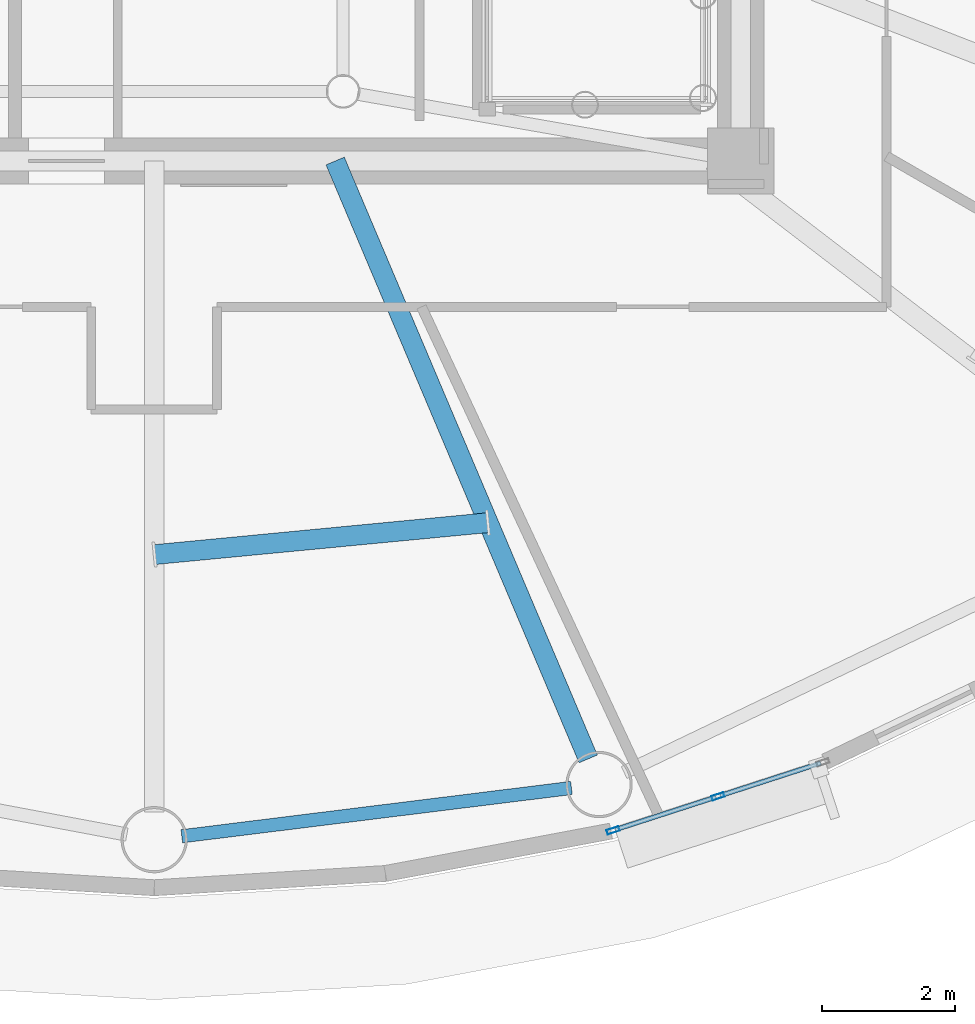
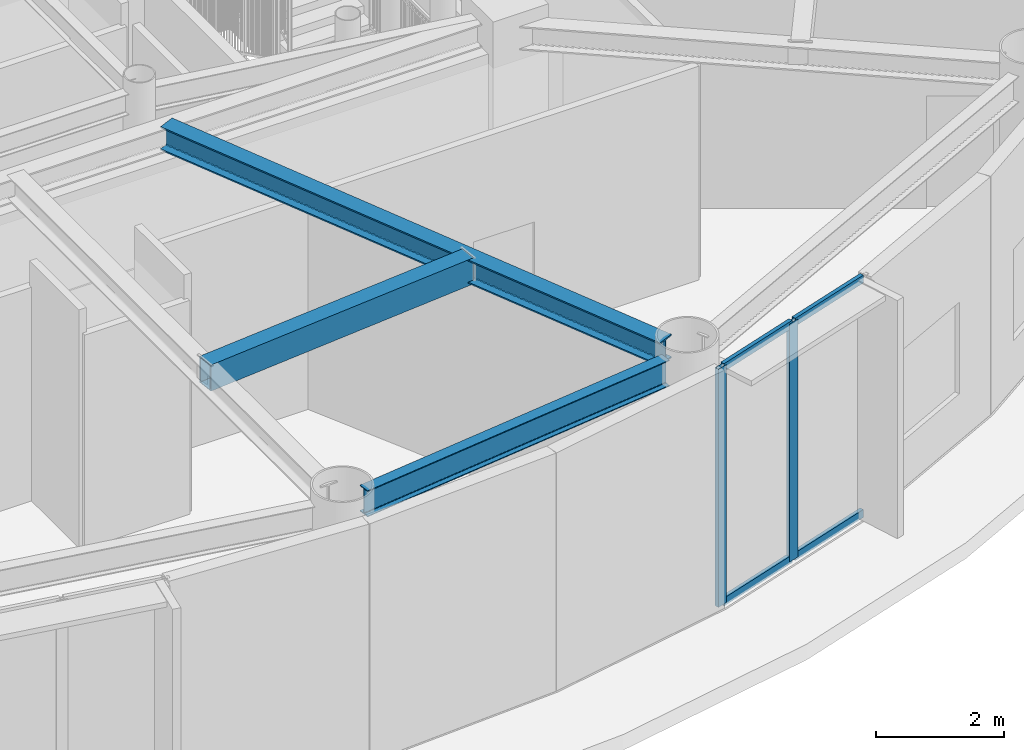
# One storey, part 8 of 32: 6 members, 3 beams, 1 element without a shape of its own.
"""IFC4 building model written with IfcOpenShell, lengths in metres."""

from ifc_helpers import new_model, si_unit, direction, frame, origin, origin_2d, place, context, subcontext, project, spatial, hollow_rectangle, i_section, extrude, source, transform, mapped, material, layer, layer_set, material_profile, profile_set, type_object, element, aggregate, save


model = new_model("IFC4")

# Units and contexts
model_context = context("Model", 3, precision=1e-05, world=origin(), true_north=direction((0.0, 1.0)))
body_context = subcontext(model_context, "Body", "Model", "MODEL_VIEW")
ifc_project = project(units=[si_unit("LENGTHUNIT", "METRE"), si_unit("AREAUNIT", "SQUARE_METRE"), si_unit("VOLUMEUNIT", "CUBIC_METRE"), si_unit("PLANEANGLEUNIT", "RADIAN"), si_unit("MASSUNIT", "GRAM", prefix="KILO")], contexts=[model_context])

# Site, building, storey
site_placement = place(None, origin())
site = spatial("IfcSite", under=ifc_project, at=site_placement, CompositionType="ELEMENT")
building_placement = place(site_placement, origin())
building = spatial("IfcBuilding", under=site, at=building_placement, Name="Linh Dai School and Residence Tower", CompositionType="ELEMENT")
storey_placement = place(building_placement, frame((0.0, 0.0, 268.199951171875)))
storey = spatial("IfcBuildingStorey", under=building, at=storey_placement, Name="L66", CompositionType="ELEMENT", Elevation=268.199951171875)

# Beams
ifc_material_1 = material(Name="Structural Steel S355JR", Category="steel")
ifc_material_profile_1 = material_profile(ifc_material_1, hollow_rectangle(XDim=0.300048828125, YDim=0.5, WallThickness=0.01611328125, at=origin_2d()), Name="RHS 500x300x16")
ifc_profile_set_1 = profile_set([ifc_material_profile_1], Name="Structural Steel S355JR")
beam_type_1 = type_object("IfcBeamType", Name="BM-BX5", PredefinedType="BEAM", material=ifc_profile_set_1)
beam_1_placement = place(storey_placement, frame((36.0048828125, 14.611328125, 4.300048828125), z_axis=(0.99544604529, 0.095326653757, 0.0), x_axis=(-0.095326653757, 0.99544604529, 0.0)))
element("IfcBeam", 1, at=beam_1_placement, inside=storey, type_object=beam_type_1, Name="L66 Secondary Circumferential Floor Beam 07", PredefinedType="BEAM", context=body_context, shape_type="SweptSolid", body=[
    extrude(hollow_rectangle(XDim=0.300048828125, YDim=0.5, WallThickness=0.01611328125, at=origin_2d()), origin(), (0.0, 0.0, 1.0), 5.052978515625),
])
ifc_material_profile_2 = material_profile(ifc_material_1, i_section(OverallWidth=0.199951171875, OverallDepth=0.5, WebThickness=0.01025390625, FlangeThickness=0.01611328125, FilletRadius=0.02099609375, at=origin_2d()), Name="IPE 500")
ifc_profile_set_2 = profile_set([ifc_material_profile_2], Name="Structural Steel S355JR")
beam_type_2 = type_object("IfcBeamType", Name="BM-RB50", PredefinedType="BEAM", material=ifc_profile_set_2)
beam_2_placement = place(storey_placement, frame((36.416748046875, 10.361572265625, 4.300048828125), z_axis=(0.992399134443, 0.123060789678, 0.0), x_axis=(-0.123060789678, 0.992399134443, 0.0)))
element("IfcBeam", 2, at=beam_2_placement, inside=storey, type_object=beam_type_2, Name="L66 Perimeter Elliptical Ring Beam 13", PredefinedType="BEAM", context=body_context, shape_type="SweptSolid", body=[
    extrude(i_section(OverallWidth=0.199951171875, OverallDepth=0.5, WebThickness=0.01025390625, FlangeThickness=0.01611328125, FilletRadius=0.02099609375, at=origin_2d()), origin(), (0.0, 0.0, 1.0), 5.923828125),
])
ifc_material_profile_3 = material_profile(ifc_material_1, i_section(OverallWidth=0.300048828125, OverallDepth=0.449951171875, WebThickness=0.013916015625, FlangeThickness=0.02587890625, FilletRadius=0.027099609375, at=origin_2d()), Name="HEB 450")
ifc_profile_set_3 = profile_set([ifc_material_profile_3], Name="Structural Steel S355JR")
beam_type_3 = type_object("IfcBeamType", Name="BM-RG45", PredefinedType="BEAM", material=ifc_profile_set_3)
beam_3_placement = place(storey_placement, frame((38.730224609375, 20.550048828125, 4.324951171875), z_axis=(0.389794463678, -0.920901881899, 0.0), x_axis=(0.920901881899, 0.389794463678, 0.0)))
element("IfcBeam", 3, at=beam_3_placement, inside=storey, type_object=beam_type_3, Name="L66 Primary Radial Floor Girder 14", PredefinedType="BEAM", context=body_context, shape_type="SweptSolid", body=[
    extrude(i_section(OverallWidth=0.300048828125, OverallDepth=0.449951171875, WebThickness=0.013916015625, FlangeThickness=0.02587890625, FilletRadius=0.027099609375, at=origin_2d()), origin(), (0.0, 0.0, 1.0), 9.7958984375),
])

# Curtain wall, members
ifc_material_2 = material(Name="Aluminium Anodised Curtain Wall", Category="aluminium")
ifc_layer = layer(ifc_material_2, 0.18994140625)
ifc_layer_set = layer_set([ifc_layer], Name="Aluminium Anodised Curtain Wall")
curtain_wall_type = type_object("IfcCurtainWallType", Name="CW-SYS-5", PredefinedType="USERDEFINED", material=ifc_layer_set)
curtain_wall_placement = place(storey_placement, origin())
curtain_wall = element("IfcCurtainWall", 4, at=curtain_wall_placement, inside=storey, type_object=curtain_wall_type, Name="L66 CW5 Curtain Wall 33", ObjectType="UNITISED CURTAIN WALL", PredefinedType="USERDEFINED")
ifc_material_3 = material(Name="Aluminium Alloy 6063-T6", Category="aluminium")
ifc_material_profile_4 = material_profile(ifc_material_3, hollow_rectangle(XDim=0.070068359375, YDim=0.18994140625, WallThickness=0.00390625, at=origin_2d()), Name="RHS 190x70x4")
ifc_profile_set_4 = profile_set([ifc_material_profile_4], Name="Aluminium Alloy 6063-T6")
member_type_1 = type_object("IfcMemberType", Name="CW-SYS-5-MUL", PredefinedType="MULLION", material=ifc_profile_set_4)
shared_shape_1 = source(origin(), body_context, "Body", "SweptSolid", [
    extrude(hollow_rectangle(XDim=0.070068359375, YDim=0.18994140625, WallThickness=0.00390625, at=origin_2d()), origin(), (0.0, 0.0, 1.0), 4.550048828125),
])
member_1_placement = place(storey_placement, frame((44.507080078125, 10.963623046875, 0.0), z_axis=(0.0, 0.0, 1.0), x_axis=(0.308518805176, -0.951218243545, 0.0)))
member_1 = element("IfcMember", 5, at=member_1_placement, type_object=member_type_1, Name="CW5 mullion 2", PredefinedType="MULLION", context=body_context, shape_type="MappedRepresentation", body=[
    mapped(shared_shape_1, transform((0.0, 0.0, 0.0), x_axis=(1.0, 0.0, 0.0), y_axis=(0.0, 1.0, 0.0), z_axis=(0.0, 0.0, 1.0), scale=1.0)),
])
member_2_placement = place(storey_placement, frame((42.924560546875, 10.450439453125, 0.0), z_axis=(0.0, 0.0, 1.0), x_axis=(0.308518805176, -0.951218243545, 0.0)))
member_2 = element("IfcMember", 6, at=member_2_placement, type_object=member_type_1, Name="CW5 mullion 3", PredefinedType="MULLION", context=body_context, shape_type="MappedRepresentation", body=[
    mapped(shared_shape_1, transform((0.0, 0.0, 0.0), x_axis=(1.0, 0.0, 0.0), y_axis=(0.0, 1.0, 0.0), z_axis=(0.0, 0.0, 1.0), scale=1.0)),
])
ifc_material_profile_5 = material_profile(ifc_material_3, hollow_rectangle(XDim=0.070068359375, YDim=0.14990234375, WallThickness=0.00390625, at=origin_2d()), Name="RHS 150x70x4")
ifc_profile_set_5 = profile_set([ifc_material_profile_5], Name="Aluminium Alloy 6063-T6")
member_type_2 = type_object("IfcMemberType", Name="CW-SYS-5-TRN", PredefinedType="USERDEFINED", material=ifc_profile_set_5)
shared_shape_2 = source(origin(), body_context, "Body", "SweptSolid", [
    extrude(hollow_rectangle(XDim=0.070068359375, YDim=0.14990234375, WallThickness=0.00390625, at=origin_2d()), origin(), (0.0, 0.0, 1.0), 1.593505859375),
])
member_3_placement = place(storey_placement, frame((46.056396484375, 11.46630859375, 0.03515625), z_axis=(-0.951210667621, -0.308542162118, 0.0), x_axis=(0.308542162118, -0.951210667621, 0.0)))
member_3 = element("IfcMember", 7, at=member_3_placement, type_object=member_type_2, Name="CW5 transom 1.1", ObjectType="TRANSOM", PredefinedType="USERDEFINED", context=body_context, shape_type="MappedRepresentation", body=[
    mapped(shared_shape_2, transform((0.0, 0.0, 0.0), x_axis=(1.0, 0.0, 0.0), y_axis=(0.0, 1.0, 0.0), z_axis=(0.0, 0.0, 1.0), scale=1.0)),
])
member_4_placement = place(storey_placement, frame((46.056396484375, 11.46630859375, 4.51513671875), z_axis=(-0.951210667621, -0.308542162118, 0.0), x_axis=(0.308542162118, -0.951210667621, 0.0)))
member_4 = element("IfcMember", 8, at=member_4_placement, type_object=member_type_2, Name="CW5 transom 1.2", ObjectType="TRANSOM", PredefinedType="USERDEFINED", context=body_context, shape_type="MappedRepresentation", body=[
    mapped(shared_shape_2, transform((0.0, 0.0, 0.0), x_axis=(1.0, 0.0, 0.0), y_axis=(0.0, 1.0, 0.0), z_axis=(0.0, 0.0, 1.0), scale=1.0)),
])
shared_shape_3 = source(origin(), body_context, "Body", "SweptSolid", [
    extrude(hollow_rectangle(XDim=0.070068359375, YDim=0.14990234375, WallThickness=0.00390625, at=origin_2d()), origin(), (0.0, 0.0, 1.0), 1.59375),
])
member_5_placement = place(storey_placement, frame((44.473876953125, 10.952880859375, 0.03515625), z_axis=(-0.951225248683, -0.308497206256, 0.0), x_axis=(0.308497206256, -0.951225248683, 0.0)))
member_5 = element("IfcMember", 9, at=member_5_placement, type_object=member_type_2, Name="CW5 transom 2.1", ObjectType="TRANSOM", PredefinedType="USERDEFINED", context=body_context, shape_type="MappedRepresentation", body=[
    mapped(shared_shape_3, transform((0.0, 0.0, 0.0), x_axis=(1.0, 0.0, 0.0), y_axis=(0.0, 1.0, 0.0), z_axis=(0.0, 0.0, 1.0), scale=1.0)),
])
member_6_placement = place(storey_placement, frame((44.473876953125, 10.952880859375, 4.51513671875), z_axis=(-0.951225248683, -0.308497206256, 0.0), x_axis=(0.308497206256, -0.951225248683, 0.0)))
member_6 = element("IfcMember", 10, at=member_6_placement, type_object=member_type_2, Name="CW5 transom 2.2", ObjectType="TRANSOM", PredefinedType="USERDEFINED", context=body_context, shape_type="MappedRepresentation", body=[
    mapped(shared_shape_3, transform((0.0, 0.0, 0.0), x_axis=(1.0, 0.0, 0.0), y_axis=(0.0, 1.0, 0.0), z_axis=(0.0, 0.0, 1.0), scale=1.0)),
])
aggregate(curtain_wall, [member_1, member_2, member_3, member_4, member_5, member_6])

save(model, "model.ifc")
